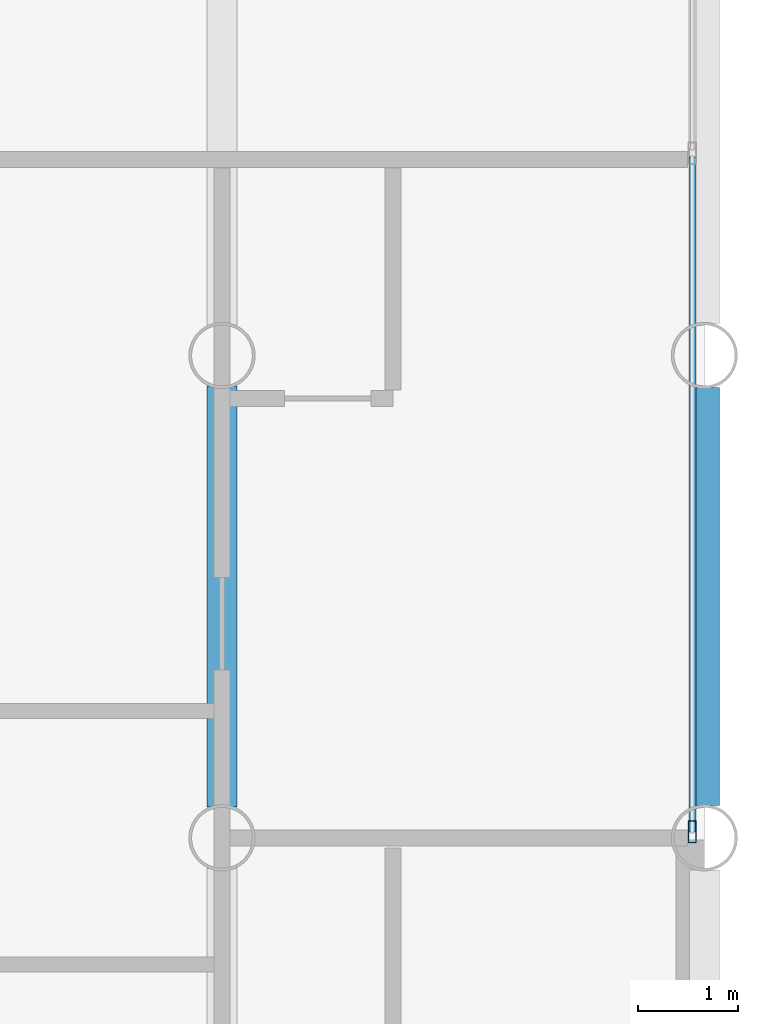
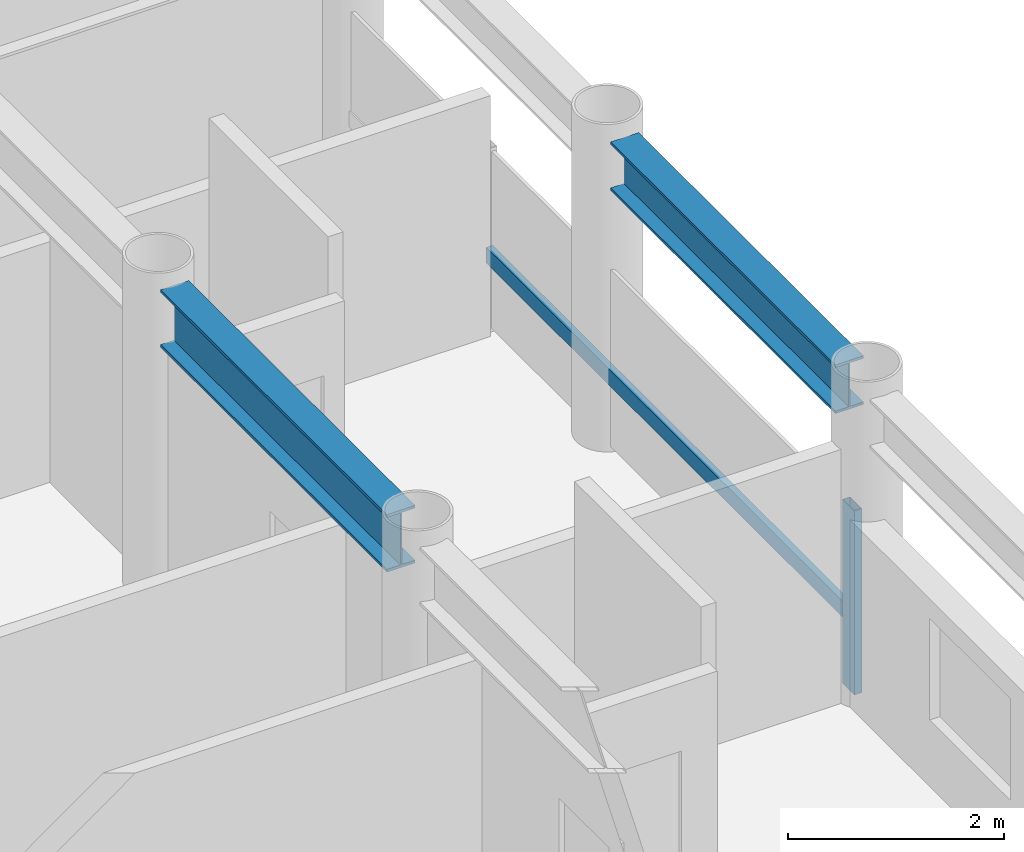
# One storey, part 8 of 22: 2 beams, 2 members, 1 element without a shape of its own.
"""IFC4 building model written with IfcOpenShell, lengths in metres."""

from ifc_helpers import new_model, si_unit, direction, frame, origin, origin_2d, place, context, subcontext, project, spatial, hollow_rectangle, i_section, extrude, material, layer, layer_set, material_profile, profile_set, type_object, element, aggregate, save


model = new_model("IFC4")

# Units and contexts
model_context = context("Model", 3, precision=1e-05, world=origin(), true_north=direction((0.0, 1.0)))
body_context = subcontext(model_context, "Body", "Model", "MODEL_VIEW")
ifc_project = project(units=[si_unit("LENGTHUNIT", "METRE"), si_unit("AREAUNIT", "SQUARE_METRE"), si_unit("VOLUMEUNIT", "CUBIC_METRE"), si_unit("PLANEANGLEUNIT", "RADIAN"), si_unit("MASSUNIT", "GRAM", prefix="KILO")], contexts=[model_context])

# Site, building, storey
site_placement = place(None, origin())
site = spatial("IfcSite", under=ifc_project, at=site_placement, CompositionType="ELEMENT")
building_placement = place(site_placement, origin())
building = spatial("IfcBuilding", under=site, at=building_placement, Name="Kallvorn Hotel Tower", CompositionType="ELEMENT")
storey_placement = place(building_placement, frame((0.0, 0.0, 117.39990234375)))
storey = spatial("IfcBuildingStorey", under=building, at=storey_placement, Name="L28", CompositionType="ELEMENT", Elevation=117.39990234375)

# Beams
ifc_material_1 = material(Name="Structural steel S355JR", Category="steel")
ifc_material_profile_1 = material_profile(ifc_material_1, i_section(OverallWidth=0.300048828125, OverallDepth=0.550048828125, WebThickness=0.014892578125, FlangeThickness=0.029052734375, at=origin_2d()), Name="HE 550 B")
ifc_profile_set_1 = profile_set([ifc_material_profile_1], Name="Structural steel S355JR")
beam_type_1 = type_object("IfcBeamType", Name="BM_HE550B", PredefinedType="SPANDREL", material=ifc_profile_set_1)
beam_1_placement = place(storey_placement, frame((33.60009765625, 0.320068359375, 3.2451171875), z_axis=(0.0, 1.0, 0.0), x_axis=(-1.0, 0.0, 0.0)))
element("IfcBeam", 1, at=beam_1_placement, inside=storey, type_object=beam_type_1, Name="L29 Perimeter Spandrel 185", PredefinedType="SPANDREL", context=body_context, shape_type="SweptSolid", body=[
    extrude(i_section(OverallWidth=0.300048828125, OverallDepth=0.550048828125, WebThickness=0.014892578125, FlangeThickness=0.029052734375, at=origin_2d()), origin(), (0.0, 0.0, 1.0), 4.159912109375),
])
ifc_material_2 = material(Name="Structural steel S355JR", Category="steel")
ifc_material_profile_2 = material_profile(ifc_material_2, i_section(OverallWidth=0.300048828125, OverallDepth=0.64990234375, WebThickness=0.01611328125, FlangeThickness=0.031005859375, at=origin_2d()), Name="HE 650 B")
ifc_profile_set_2 = profile_set([ifc_material_profile_2], Name="Structural steel S355JR")
beam_type_2 = type_object("IfcBeamType", Name="BM_HE650B", PredefinedType="BEAM", material=ifc_profile_set_2)
beam_2_placement = place(storey_placement, frame((28.800048828125, 0.304931640625, 3.195068359375), z_axis=(0.0, 1.0, 0.0), x_axis=(-1.0, 0.0, 0.0)))
element("IfcBeam", 2, at=beam_2_placement, inside=storey, type_object=beam_type_2, Name="L29 Primary Y-Girder 146", PredefinedType="BEAM", context=body_context, shape_type="SweptSolid", body=[
    extrude(i_section(OverallWidth=0.300048828125, OverallDepth=0.64990234375, WebThickness=0.01611328125, FlangeThickness=0.031005859375, at=origin_2d()), origin(), (0.0, 0.0, 1.0), 4.190185546875),
])

# Curtain wall, members
ifc_material_3 = material(Name="Thermally broken black-anodised aluminium AA 6063-T6", Category="aluminium")
ifc_layer = layer(ifc_material_3, 0.199951171875)
ifc_layer_set = layer_set([ifc_layer], Name="CW_SYS_3_HOTEL_LOW")
curtain_wall_type = type_object("IfcCurtainWallType", Name="CW_SYS_3_HOTEL_LOW", PredefinedType="USERDEFINED", material=ifc_layer_set)
curtain_wall_placement = place(storey_placement, origin())
curtain_wall = element("IfcCurtainWall", 3, at=curtain_wall_placement, inside=storey, type_object=curtain_wall_type, Name="L28 Dark-Glass Curtain Wall CW-L28-EN", ObjectType="UNITISED CURTAIN WALL", PredefinedType="USERDEFINED")
ifc_material_4 = material(Name="Thermally broken black-anodised aluminium AA 6063-T6", Category="aluminium")
ifc_material_profile_3 = material_profile(ifc_material_4, hollow_rectangle(XDim=0.080078125, YDim=0.219970703125, WallThickness=0.0048828125, at=origin_2d()), Name="MUL 220x80")
ifc_profile_set_3 = profile_set([ifc_material_profile_3], Name="Thermally broken black-anodised aluminium AA 6063-T6")
member_type_1 = type_object("IfcMemberType", Name="CW_MULLION_220x80", PredefinedType="MULLION", material=ifc_profile_set_3)
member_1_placement = place(storey_placement, frame((33.47998046875, 0.06005859375, 0.02001953125), z_axis=(0.0, 0.0, 1.0), x_axis=(1.0, 0.0, 0.0)))
member_1 = element("IfcMember", 4, at=member_1_placement, type_object=member_type_1, Name="CW-L28-EN Mullion 00", PredefinedType="MULLION", context=body_context, shape_type="SweptSolid", body=[
    extrude(hollow_rectangle(XDim=0.080078125, YDim=0.219970703125, WallThickness=0.0048828125, at=origin_2d()), origin(), (0.0, 0.0, 1.0), 2.080078125),
])
ifc_material_5 = material(Name="Thermally broken black-anodised aluminium AA 6063-T6", Category="aluminium")
ifc_material_profile_4 = material_profile(ifc_material_5, hollow_rectangle(XDim=0.070068359375, YDim=0.179931640625, WallThickness=0.00390625, at=origin_2d()), Name="TRN 180x70")
ifc_profile_set_4 = profile_set([ifc_material_profile_4], Name="Thermally broken black-anodised aluminium AA 6063-T6")
member_type_2 = type_object("IfcMemberType", Name="CW_TRANSOM_180x70", PredefinedType="USERDEFINED", material=ifc_profile_set_4)
member_2_placement = place(storey_placement, frame((33.47998046875, 0.06005859375, 0.85009765625), z_axis=(0.0, 1.0, 0.0), x_axis=(-1.0, 0.0, 0.0)))
member_2 = element("IfcMember", 5, at=member_2_placement, type_object=member_type_2, Name="CW-L28-EN Transom 00M", ObjectType="TRANSOM", PredefinedType="USERDEFINED", context=body_context, shape_type="SweptSolid", body=[
    extrude(hollow_rectangle(XDim=0.070068359375, YDim=0.179931640625, WallThickness=0.00390625, at=origin_2d()), origin(), (0.0, 0.0, 1.0), 6.713134765625),
])
aggregate(curtain_wall, [member_1, member_2])

save(model, "model.ifc")
